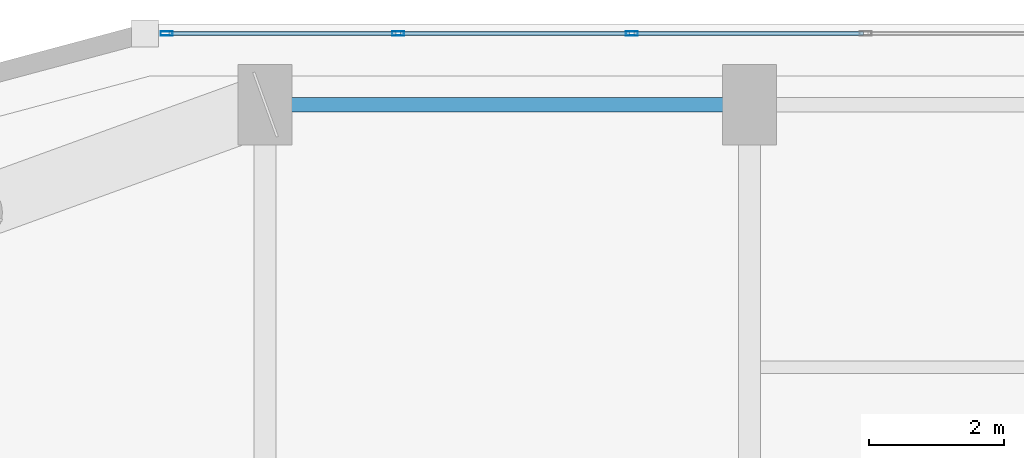
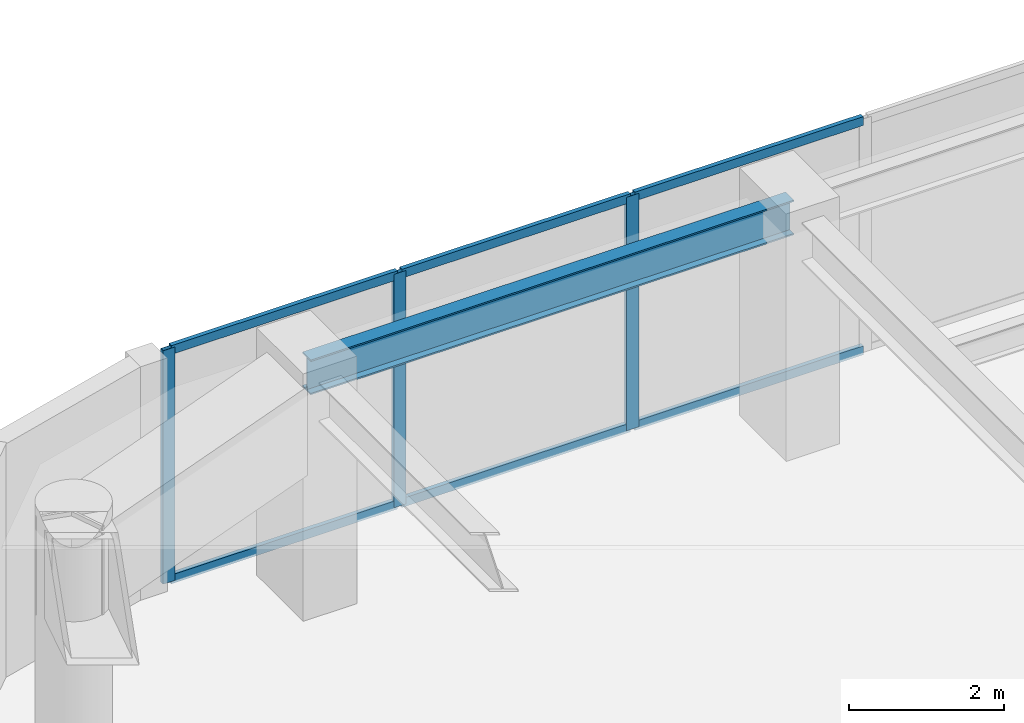
# One storey, part 17 of 30: 9 members, 1 beam, 1 element without a shape of its own.
"""IFC4 building model written with IfcOpenShell, lengths in metres."""

from ifc_helpers import new_model, si_unit, direction, frame, origin, origin_2d, place, context, subcontext, project, spatial, hollow_rectangle, i_section, extrude, material, layer, layer_set, material_profile, profile_set, type_object, element, aggregate, save


model = new_model("IFC4")

# Units and contexts
model_context = context("Model", 3, precision=1e-05, world=origin(), true_north=direction((0.0, 1.0)))
body_context = subcontext(model_context, "Body", "Model", "MODEL_VIEW")
ifc_project = project(units=[si_unit("LENGTHUNIT", "METRE"), si_unit("AREAUNIT", "SQUARE_METRE"), si_unit("VOLUMEUNIT", "CUBIC_METRE"), si_unit("PLANEANGLEUNIT", "RADIAN"), si_unit("MASSUNIT", "GRAM", prefix="KILO")], contexts=[model_context])

# Site, building, storey
site_placement = place(None, origin())
site = spatial("IfcSite", under=ifc_project, at=site_placement, CompositionType="ELEMENT")
building_placement = place(site_placement, origin())
building = spatial("IfcBuilding", under=site, at=building_placement, Name="Kiyonajd Concourse Tower", CompositionType="ELEMENT")
storey_placement = place(building_placement, frame((0.0, 0.0, 198.0)))
storey = spatial("IfcBuildingStorey", under=building, at=storey_placement, Name="L50", CompositionType="ELEMENT", Elevation=198.0)

# Beam
ifc_material_1 = material(Name="Steel ASTM A992 Grade 50", Category="steel")
ifc_material_profile_1 = material_profile(ifc_material_1, i_section(OverallWidth=0.214111328125, OverallDepth=0.549072265625, WebThickness=0.0146484375, FlangeThickness=0.023681640625, at=origin_2d()), Name="W530X138")
ifc_profile_set_1 = profile_set([ifc_material_profile_1], Name="Steel ASTM A992 Grade 50")
beam_type = type_object("IfcBeamType", Name="BM-SPAN-530A", PredefinedType="SPANDREL", material=ifc_profile_set_1)
beam_placement = place(storey_placement, frame((32.39990234375, 61.199951171875, 3.405517578125), z_axis=(-1.0, 0.0, 0.0), x_axis=(0.0, -1.0, 0.0)))
element("IfcBeam", 1, at=beam_placement, inside=storey, type_object=beam_type, Name="L50 Perimeter Bundled Tube Spandrel", PredefinedType="SPANDREL", context=body_context, shape_type="SweptSolid", body=[
    extrude(i_section(OverallWidth=0.214111328125, OverallDepth=0.549072265625, WebThickness=0.0146484375, FlangeThickness=0.023681640625, at=origin_2d()), origin(), (0.0, 0.0, 1.0), 7.199951171875),
])

# Curtain wall, members
ifc_material_2 = material(Name="Thermally Broken Anodised Aluminium", Category="aluminium")
ifc_layer = layer(ifc_material_2, 0.179931640625)
ifc_layer_set = layer_set([ifc_layer], Name="Thermally Broken Anodised Aluminium")
curtain_wall_type = type_object("IfcCurtainWallType", Name="CW-SYS-03", PredefinedType="NOTDEFINED", material=ifc_layer_set)
curtain_wall_placement = place(storey_placement, origin())
curtain_wall = element("IfcCurtainWall", 2, at=curtain_wall_placement, inside=storey, type_object=curtain_wall_type, Name="L50 Unitised Curtain Wall CW3", PredefinedType="NOTDEFINED")
ifc_material_profile_2 = material_profile(ifc_material_2, hollow_rectangle(XDim=0.06494140625, YDim=0.179931640625, WallThickness=0.00390625, at=origin_2d()), Name="MULL-65x180")
ifc_profile_set_2 = profile_set([ifc_material_profile_2], Name="Thermally Broken Anodised Aluminium")
member_type_1 = type_object("IfcMemberType", Name="MB-CW-MULL1", PredefinedType="MULLION", material=ifc_profile_set_2)
member_1_placement = place(storey_placement, frame((23.740966796875, 62.260009765625, 0.0), z_axis=(0.0, 0.0, 1.0), x_axis=(0.0, 1.0, 0.0)))
member_1 = element("IfcMember", 3, at=member_1_placement, type_object=member_type_1, Name="CW3 mullion 1", PredefinedType="MULLION", context=body_context, shape_type="SweptSolid", body=[
    extrude(hollow_rectangle(XDim=0.06494140625, YDim=0.179931640625, WallThickness=0.00390625, at=origin_2d()), origin(), (0.0, 0.0, 1.0), 3.679931640625),
])
member_2_placement = place(storey_placement, frame((27.180908203125, 62.260009765625, 0.0), z_axis=(0.0, 0.0, 1.0), x_axis=(0.0, 1.0, 0.0)))
member_2 = element("IfcMember", 4, at=member_2_placement, type_object=member_type_1, Name="CW3 mullion 2", PredefinedType="MULLION", context=body_context, shape_type="SweptSolid", body=[
    extrude(hollow_rectangle(XDim=0.06494140625, YDim=0.179931640625, WallThickness=0.00390625, at=origin_2d()), origin(), (0.0, 0.0, 1.0), 3.679931640625),
])
member_3_placement = place(storey_placement, frame((30.6533203125, 62.260009765625, 0.0), z_axis=(0.0, 0.0, 1.0), x_axis=(0.0, 1.0, 0.0)))
member_3 = element("IfcMember", 5, at=member_3_placement, type_object=member_type_1, Name="CW3 mullion 3", PredefinedType="MULLION", context=body_context, shape_type="SweptSolid", body=[
    extrude(hollow_rectangle(XDim=0.06494140625, YDim=0.179931640625, WallThickness=0.00390625, at=origin_2d()), origin(), (0.0, 0.0, 1.0), 3.679931640625),
])
ifc_material_profile_3 = material_profile(ifc_material_2, hollow_rectangle(XDim=0.06494140625, YDim=0.139892578125, WallThickness=0.00390625, at=origin_2d()), Name="TRAN-65x140")
ifc_profile_set_3 = profile_set([ifc_material_profile_3], Name="Thermally Broken Anodised Aluminium")
member_type_2 = type_object("IfcMemberType", Name="MB-CW-TRAN1", PredefinedType="USERDEFINED", material=ifc_profile_set_3)
member_4_placement = place(storey_placement, frame((23.7734375, 62.260009765625, 0.032470703125), z_axis=(1.0, 0.0, 0.0), x_axis=(0.0, 1.0, 0.0)))
member_4 = element("IfcMember", 6, at=member_4_placement, type_object=member_type_2, Name="CW3 transom 1.1", ObjectType="TRANSOM", PredefinedType="USERDEFINED", context=body_context, shape_type="SweptSolid", body=[
    extrude(hollow_rectangle(XDim=0.06494140625, YDim=0.139892578125, WallThickness=0.00390625, at=origin_2d()), origin(), (0.0, 0.0, 1.0), 3.374755859375),
])
member_5_placement = place(storey_placement, frame((23.7734375, 62.260009765625, 3.6474609375), z_axis=(1.0, 0.0, 0.0), x_axis=(0.0, 1.0, 0.0)))
member_5 = element("IfcMember", 7, at=member_5_placement, type_object=member_type_2, Name="CW3 transom 1.2", ObjectType="TRANSOM", PredefinedType="USERDEFINED", context=body_context, shape_type="SweptSolid", body=[
    extrude(hollow_rectangle(XDim=0.06494140625, YDim=0.139892578125, WallThickness=0.00390625, at=origin_2d()), origin(), (0.0, 0.0, 1.0), 3.374755859375),
])
member_6_placement = place(storey_placement, frame((27.21337890625, 62.260009765625, 0.032470703125), z_axis=(1.0, 0.0, 0.0), x_axis=(0.0, 1.0, 0.0)))
member_6 = element("IfcMember", 8, at=member_6_placement, type_object=member_type_2, Name="CW3 transom 2.1", ObjectType="TRANSOM", PredefinedType="USERDEFINED", context=body_context, shape_type="SweptSolid", body=[
    extrude(hollow_rectangle(XDim=0.06494140625, YDim=0.139892578125, WallThickness=0.00390625, at=origin_2d()), origin(), (0.0, 0.0, 1.0), 3.4072265625),
])
member_7_placement = place(storey_placement, frame((27.21337890625, 62.260009765625, 3.6474609375), z_axis=(1.0, 0.0, 0.0), x_axis=(0.0, 1.0, 0.0)))
member_7 = element("IfcMember", 9, at=member_7_placement, type_object=member_type_2, Name="CW3 transom 2.2", ObjectType="TRANSOM", PredefinedType="USERDEFINED", context=body_context, shape_type="SweptSolid", body=[
    extrude(hollow_rectangle(XDim=0.06494140625, YDim=0.139892578125, WallThickness=0.00390625, at=origin_2d()), origin(), (0.0, 0.0, 1.0), 3.4072265625),
])
member_8_placement = place(storey_placement, frame((30.685791015625, 62.260009765625, 0.032470703125), z_axis=(1.0, 0.0, 0.0), x_axis=(0.0, 1.0, 0.0)))
member_8 = element("IfcMember", 10, at=member_8_placement, type_object=member_type_2, Name="CW3 transom 3.1", ObjectType="TRANSOM", PredefinedType="USERDEFINED", context=body_context, shape_type="SweptSolid", body=[
    extrude(hollow_rectangle(XDim=0.06494140625, YDim=0.139892578125, WallThickness=0.00390625, at=origin_2d()), origin(), (0.0, 0.0, 1.0), 3.4072265625),
])
member_9_placement = place(storey_placement, frame((30.685791015625, 62.260009765625, 3.6474609375), z_axis=(1.0, 0.0, 0.0), x_axis=(0.0, 1.0, 0.0)))
member_9 = element("IfcMember", 11, at=member_9_placement, type_object=member_type_2, Name="CW3 transom 3.2", ObjectType="TRANSOM", PredefinedType="USERDEFINED", context=body_context, shape_type="SweptSolid", body=[
    extrude(hollow_rectangle(XDim=0.06494140625, YDim=0.139892578125, WallThickness=0.00390625, at=origin_2d()), origin(), (0.0, 0.0, 1.0), 3.4072265625),
])
aggregate(curtain_wall, [member_1, member_2, member_3, member_4, member_5, member_6, member_7, member_8, member_9])

save(model, "model.ifc")
